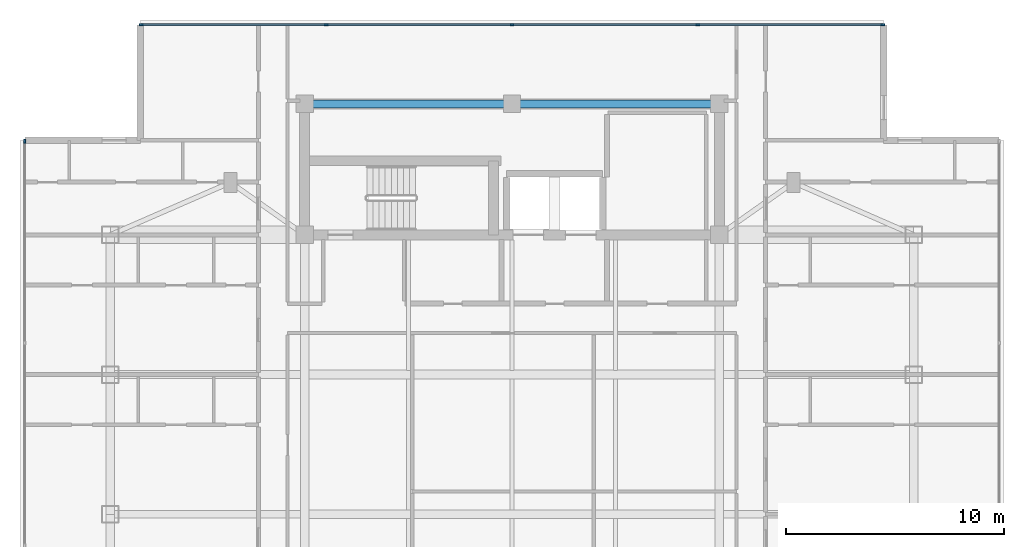
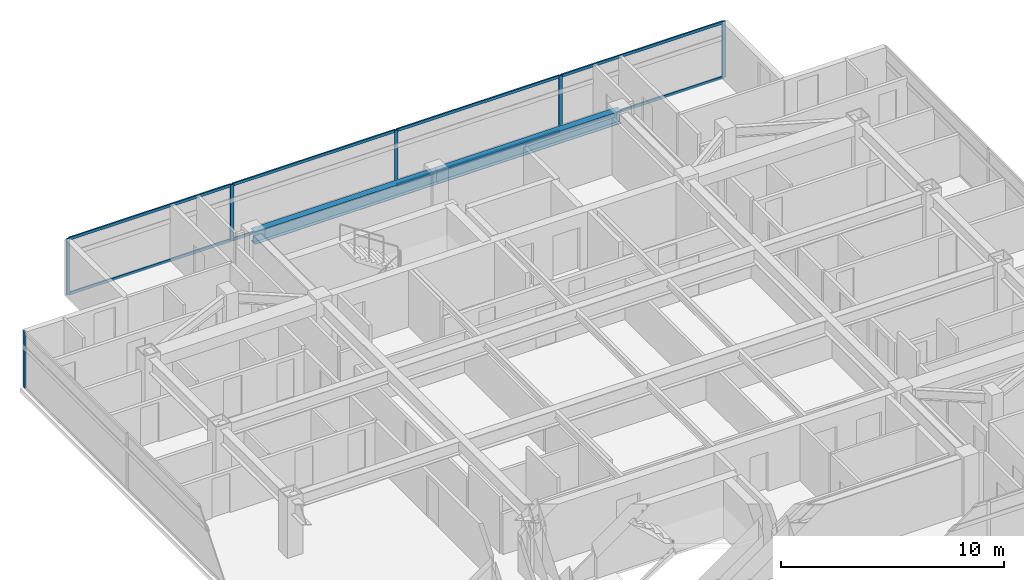
# One storey, part 5 of 14: 14 members, 2 beams, 2 elements without a shape of their own.
"""IFC4 building model written with IfcOpenShell, lengths in metres."""

from ifc_helpers import new_model, si_unit, direction, frame, origin, origin_2d, place, context, subcontext, project, spatial, rectangle, i_section, extrude, material, material_profile, profile_set, type_object, element, aggregate, save


model = new_model("IFC4")

# Units and contexts
model_context = context("Model", 3, precision=1e-05, world=origin(), true_north=direction((0.0, 1.0)))
body_context = subcontext(model_context, "Body", "Model", "MODEL_VIEW")
ifc_project = project(units=[si_unit("LENGTHUNIT", "METRE"), si_unit("AREAUNIT", "SQUARE_METRE"), si_unit("VOLUMEUNIT", "CUBIC_METRE"), si_unit("PLANEANGLEUNIT", "RADIAN"), si_unit("MASSUNIT", "GRAM", prefix="KILO")], contexts=[model_context])

# Site, building, storey
site_placement = place(None, origin())
site = spatial("IfcSite", under=ifc_project, at=site_placement, CompositionType="ELEMENT")
building_placement = place(site_placement, origin())
building = spatial("IfcBuilding", under=site, at=building_placement, Name="Mirazonda Arch Towers", CompositionType="ELEMENT")
storey_placement = place(building_placement, frame((0.0, 0.0, 245.800048828125)))
storey = spatial("IfcBuildingStorey", under=building, at=storey_placement, Name="L70", CompositionType="ELEMENT", Elevation=245.800048828125)

# Beams
ifc_material_1 = material(Name="Steel ASTM A992 Grade 50", Category="steel")
ifc_material_profile_1 = material_profile(ifc_material_1, i_section(OverallWidth=0.35498046875, OverallDepth=0.696044921875, WebThickness=0.015380859375, FlangeThickness=0.02490234375, at=origin_2d()), Name="W27X146")
ifc_profile_set_1 = profile_set([ifc_material_profile_1], Name="Steel ASTM A992 Grade 50")
beam_type = type_object("IfcBeamType", Name="BM-INT-W27X146", PredefinedType="BEAM", material=ifc_profile_set_1)
for number, where, z_axis, x_axis, name in (
    (1, (11.0, 43.60009765625, 2.751953125), (1.0, 0.0, 0.0), (0.0, 1.0, 0.0), "L70 Floor Beam BM-T1-L70-CN1"),
    (2, (20.5, 43.60009765625, 2.751953125), (1.0, 0.0, 0.0), (0.0, 1.0, 0.0), "L70 Floor Beam BM-T1-L70-CN2"),
):
    element("IfcBeam", number, at=place(storey_placement, frame(where, z_axis=z_axis, x_axis=x_axis)), inside=storey, type_object=beam_type, Name=name, PredefinedType="BEAM", context=body_context, shape_type="SweptSolid", body=[
        extrude(i_section(OverallWidth=0.35498046875, OverallDepth=0.696044921875, WebThickness=0.015380859375, FlangeThickness=0.02490234375, at=origin_2d()), origin(), (0.0, 0.0, 1.0), 9.5),
    ])

# Curtain wall, members
ifc_material_2 = material(Name="Anodised Aluminium and Low-E Glass", Category="aluminium")
curtain_wall_type = type_object("IfcCurtainWallType", Name="CW-RES-UNIT", PredefinedType="NOTDEFINED", material=ifc_material_2)
curtain_wall_1_placement = place(storey_placement, origin())
curtain_wall_1 = element("IfcCurtainWall", 3, at=curtain_wall_1_placement, inside=storey, type_object=curtain_wall_type, Name="L70 T1 N Facade CW-L70-T1-N", PredefinedType="NOTDEFINED")
ifc_material_3 = material(Name="Anodised Aluminium Alloy", Category="aluminium")
ifc_material_profile_2 = material_profile(ifc_material_3, rectangle(XDim=0.074951171875, YDim=0.175048828125, at=origin_2d()), Name="ALU-MULL-75x175")
ifc_profile_set_2 = profile_set([ifc_material_profile_2], Name="Anodised Aluminium Alloy")
member_type_1 = type_object("IfcMemberType", Name="MULL-CW-RES-UNIT", PredefinedType="MULLION", material=ifc_profile_set_2)
member_1_placement = place(storey_placement, frame((3.507568359375, 47.22412109375, 0.0), z_axis=(0.0, 0.0, 1.0), x_axis=(0.0, 1.0, 0.0)))
member_1 = element("IfcMember", 4, at=member_1_placement, type_object=member_type_1, Name="CW-104 mullion 1", PredefinedType="MULLION", context=body_context, shape_type="SweptSolid", body=[
    extrude(rectangle(XDim=0.074951171875, YDim=0.175048828125, at=origin_2d()), origin(), (0.0, 0.0, 1.0), 3.079833984375),
])
member_2_placement = place(storey_placement, frame((11.985107421875, 47.22412109375, 0.0), z_axis=(0.0, 0.0, 1.0), x_axis=(0.0, 1.0, 0.0)))
member_2 = element("IfcMember", 5, at=member_2_placement, type_object=member_type_1, Name="CW-104 mullion 2", PredefinedType="MULLION", context=body_context, shape_type="SweptSolid", body=[
    extrude(rectangle(XDim=0.074951171875, YDim=0.175048828125, at=origin_2d()), origin(), (0.0, 0.0, 1.0), 3.079833984375),
])
member_3_placement = place(storey_placement, frame((20.5, 47.22412109375, 0.0), z_axis=(0.0, 0.0, 1.0), x_axis=(0.0, 1.0, 0.0)))
member_3 = element("IfcMember", 6, at=member_3_placement, type_object=member_type_1, Name="CW-104 mullion 3", PredefinedType="MULLION", context=body_context, shape_type="SweptSolid", body=[
    extrude(rectangle(XDim=0.074951171875, YDim=0.175048828125, at=origin_2d()), origin(), (0.0, 0.0, 1.0), 3.079833984375),
])
member_4_placement = place(storey_placement, frame((29.014892578125, 47.22412109375, 0.0), z_axis=(0.0, 0.0, 1.0), x_axis=(0.0, 1.0, 0.0)))
member_4 = element("IfcMember", 7, at=member_4_placement, type_object=member_type_1, Name="CW-104 mullion 4", PredefinedType="MULLION", context=body_context, shape_type="SweptSolid", body=[
    extrude(rectangle(XDim=0.074951171875, YDim=0.175048828125, at=origin_2d()), origin(), (0.0, 0.0, 1.0), 3.079833984375),
])
member_5_placement = place(storey_placement, frame((37.492431640625, 47.22412109375, 0.0), z_axis=(0.0, 0.0, 1.0), x_axis=(0.0, 1.0, 0.0)))
member_5 = element("IfcMember", 8, at=member_5_placement, type_object=member_type_1, Name="CW-104 mullion 5", PredefinedType="MULLION", context=body_context, shape_type="SweptSolid", body=[
    extrude(rectangle(XDim=0.074951171875, YDim=0.175048828125, at=origin_2d()), origin(), (0.0, 0.0, 1.0), 3.079833984375),
])

# Curtain wall, member
curtain_wall_2_placement = place(storey_placement, origin())
curtain_wall_2 = element("IfcCurtainWall", 9, at=curtain_wall_2_placement, inside=storey, type_object=curtain_wall_type, Name="L70 T1 W Facade CW-L70-T1-W", PredefinedType="NOTDEFINED")
member_6_placement = place(storey_placement, frame((-1.820068359375, 41.896484375, 0.0), z_axis=(0.0, 0.0, 1.0), x_axis=(1.0, 0.0, 0.0)))
member_6 = element("IfcMember", 10, at=member_6_placement, type_object=member_type_1, Name="CW-104 mullion 1", PredefinedType="MULLION", context=body_context, shape_type="SweptSolid", body=[
    extrude(rectangle(XDim=0.074951171875, YDim=0.175048828125, at=origin_2d()), origin(), (0.0, 0.0, 1.0), 3.079833984375),
])
aggregate(curtain_wall_2, [member_6])

# Member
ifc_material_profile_3 = material_profile(ifc_material_3, rectangle(XDim=0.074951171875, YDim=0.155029296875, at=origin_2d()), Name="ALU-TRAN-75x155")
ifc_profile_set_3 = profile_set([ifc_material_profile_3], Name="Anodised Aluminium Alloy")
member_type_2 = type_object("IfcMemberType", Name="TRAN-CW-RES-UNIT", PredefinedType="USERDEFINED", material=ifc_profile_set_3)
member_7_placement = place(storey_placement, frame((3.544921875, 47.22412109375, 0.037353515625), z_axis=(1.0, 0.0, 0.0), x_axis=(0.0, 1.0, 0.0)))
member_7 = element("IfcMember", 11, at=member_7_placement, type_object=member_type_2, Name="CW-104 transom 1.1", ObjectType="TRANSOM", PredefinedType="USERDEFINED", context=body_context, shape_type="SweptSolid", body=[
    extrude(rectangle(XDim=0.074951171875, YDim=0.155029296875, at=origin_2d()), origin(), (0.0, 0.0, 1.0), 8.402587890625),
])

member_8_placement = place(storey_placement, frame((3.544921875, 47.22412109375, 3.04248046875), z_axis=(1.0, 0.0, 0.0), x_axis=(0.0, 1.0, 0.0)))
member_8 = element("IfcMember", 12, at=member_8_placement, type_object=member_type_2, Name="CW-104 transom 1.2", ObjectType="TRANSOM", PredefinedType="USERDEFINED", context=body_context, shape_type="SweptSolid", body=[
    extrude(rectangle(XDim=0.074951171875, YDim=0.155029296875, at=origin_2d()), origin(), (0.0, 0.0, 1.0), 8.402587890625),
])

member_9_placement = place(storey_placement, frame((12.0224609375, 47.22412109375, 0.037353515625), z_axis=(1.0, 0.0, 0.0), x_axis=(0.0, 1.0, 0.0)))
member_9 = element("IfcMember", 13, at=member_9_placement, type_object=member_type_2, Name="CW-104 transom 2.1", ObjectType="TRANSOM", PredefinedType="USERDEFINED", context=body_context, shape_type="SweptSolid", body=[
    extrude(rectangle(XDim=0.074951171875, YDim=0.155029296875, at=origin_2d()), origin(), (0.0, 0.0, 1.0), 8.43994140625),
])

member_10_placement = place(storey_placement, frame((12.0224609375, 47.22412109375, 3.04248046875), z_axis=(1.0, 0.0, 0.0), x_axis=(0.0, 1.0, 0.0)))
member_10 = element("IfcMember", 14, at=member_10_placement, type_object=member_type_2, Name="CW-104 transom 2.2", ObjectType="TRANSOM", PredefinedType="USERDEFINED", context=body_context, shape_type="SweptSolid", body=[
    extrude(rectangle(XDim=0.074951171875, YDim=0.155029296875, at=origin_2d()), origin(), (0.0, 0.0, 1.0), 8.43994140625),
])

member_11_placement = place(storey_placement, frame((20.53759765625, 47.22412109375, 0.037353515625), z_axis=(1.0, 0.0, 0.0), x_axis=(0.0, 1.0, 0.0)))
member_11 = element("IfcMember", 15, at=member_11_placement, type_object=member_type_2, Name="CW-104 transom 3.1", ObjectType="TRANSOM", PredefinedType="USERDEFINED", context=body_context, shape_type="SweptSolid", body=[
    extrude(rectangle(XDim=0.074951171875, YDim=0.155029296875, at=origin_2d()), origin(), (0.0, 0.0, 1.0), 8.43994140625),
])

member_12_placement = place(storey_placement, frame((20.53759765625, 47.22412109375, 3.04248046875), z_axis=(1.0, 0.0, 0.0), x_axis=(0.0, 1.0, 0.0)))
member_12 = element("IfcMember", 16, at=member_12_placement, type_object=member_type_2, Name="CW-104 transom 3.2", ObjectType="TRANSOM", PredefinedType="USERDEFINED", context=body_context, shape_type="SweptSolid", body=[
    extrude(rectangle(XDim=0.074951171875, YDim=0.155029296875, at=origin_2d()), origin(), (0.0, 0.0, 1.0), 8.43994140625),
])

member_13_placement = place(storey_placement, frame((29.052490234375, 47.22412109375, 0.037353515625), z_axis=(1.0, 0.0, 0.0), x_axis=(0.0, 1.0, 0.0)))
member_13 = element("IfcMember", 17, at=member_13_placement, type_object=member_type_2, Name="CW-104 transom 4.1", ObjectType="TRANSOM", PredefinedType="USERDEFINED", context=body_context, shape_type="SweptSolid", body=[
    extrude(rectangle(XDim=0.074951171875, YDim=0.155029296875, at=origin_2d()), origin(), (0.0, 0.0, 1.0), 8.402587890625),
])

member_14_placement = place(storey_placement, frame((29.052490234375, 47.22412109375, 3.04248046875), z_axis=(1.0, 0.0, 0.0), x_axis=(0.0, 1.0, 0.0)))
member_14 = element("IfcMember", 18, at=member_14_placement, type_object=member_type_2, Name="CW-104 transom 4.2", ObjectType="TRANSOM", PredefinedType="USERDEFINED", context=body_context, shape_type="SweptSolid", body=[
    extrude(rectangle(XDim=0.074951171875, YDim=0.155029296875, at=origin_2d()), origin(), (0.0, 0.0, 1.0), 8.402587890625),
])

aggregate(curtain_wall_1, [member_1, member_2, member_3, member_4, member_5, member_7, member_8, member_9, member_10, member_11, member_12, member_13, member_14])

save(model, "model.ifc")
